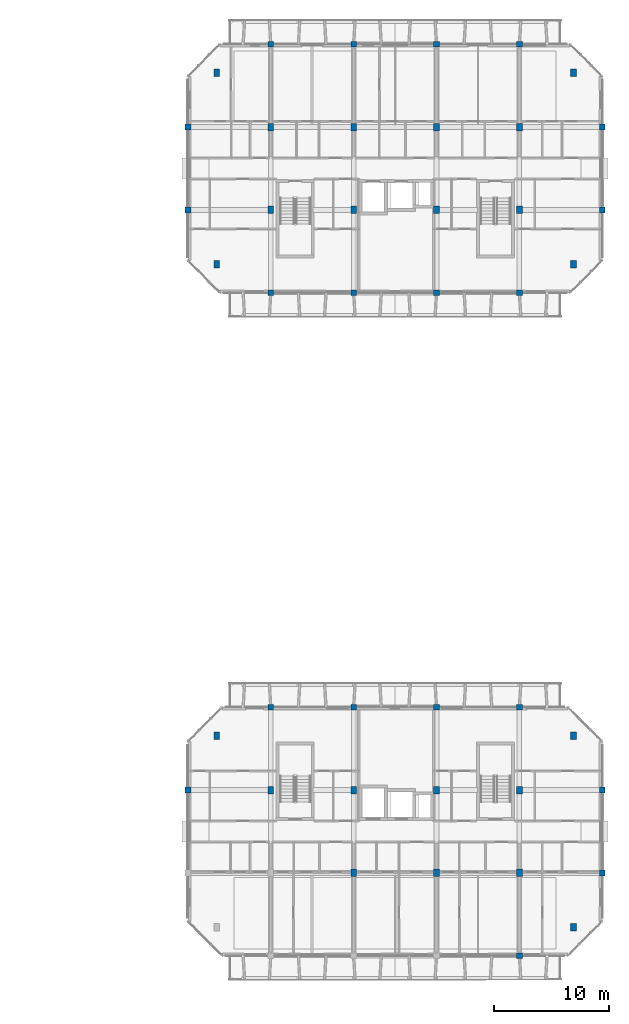
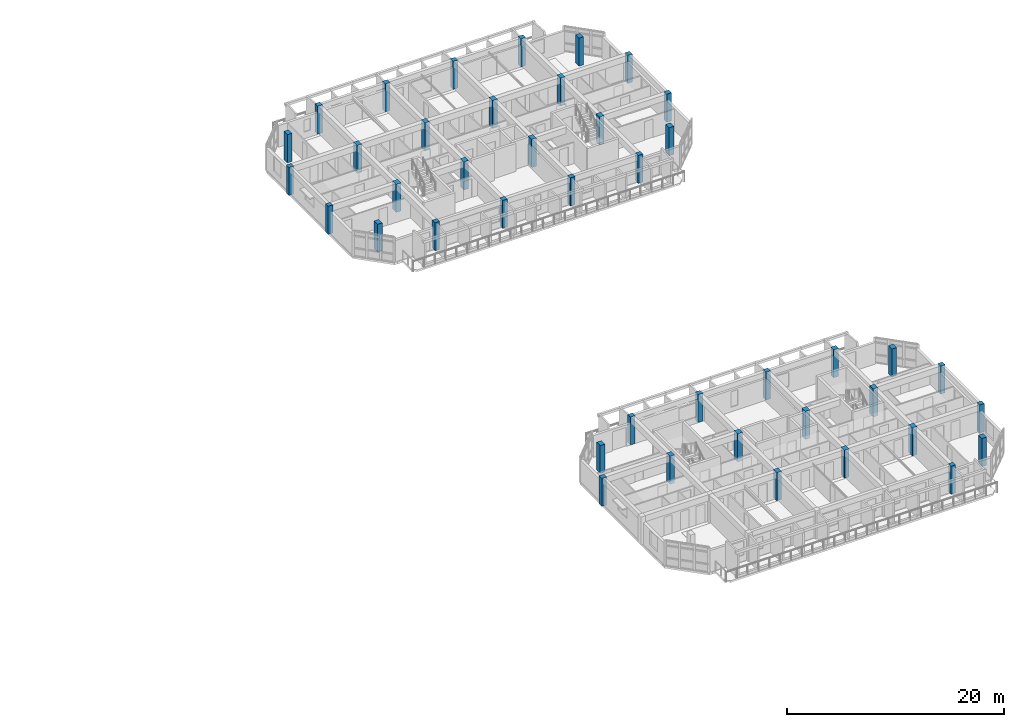
# One storey, part 2 of 44: 42 columns.
"""IFC4 building model written with IfcOpenShell, lengths in metres."""

from ifc_helpers import new_model, si_unit, direction, frame, origin, origin_2d, place, context, subcontext, project, spatial, rectangle, extrude, material, material_profile, profile_set, type_object, element, save


model = new_model("IFC4")

# Units and contexts
model_context = context("Model", 3, precision=1e-05, world=origin(), true_north=direction((0.0, 1.0)))
body_context = subcontext(model_context, "Body", "Model", "MODEL_VIEW")
ifc_project = project(units=[si_unit("LENGTHUNIT", "METRE"), si_unit("AREAUNIT", "SQUARE_METRE"), si_unit("VOLUMEUNIT", "CUBIC_METRE"), si_unit("PLANEANGLEUNIT", "RADIAN"), si_unit("MASSUNIT", "GRAM", prefix="KILO")], contexts=[model_context])

# Site, building, storey
site_placement = place(None, origin())
site = spatial("IfcSite", under=ifc_project, at=site_placement, CompositionType="ELEMENT")
building_placement = place(site_placement, origin())
building = spatial("IfcBuilding", under=site, at=building_placement, Name="Ochrevale Crest", CompositionType="ELEMENT")
storey_placement = place(building_placement, frame((0.0, 0.0, 21.300048828125)))
storey = spatial("IfcBuildingStorey", under=building, at=storey_placement, Name="L06", CompositionType="ELEMENT", Elevation=21.300048828125)

# Columns
ifc_material = material(Name="Precast concrete C50/60", Category="concrete")
ifc_material_profile_1 = material_profile(ifc_material, rectangle(XDim=0.5, YDim=0.5, at=origin_2d()), Name="RC 500x500")
ifc_profile_set_1 = profile_set([ifc_material_profile_1], Name="Precast concrete C50/60")
column_type_1 = type_object("IfcColumnType", Name="COL-RC500x500", PredefinedType="COLUMN", material=ifc_profile_set_1)
for number, where, z_axis, x_axis, name in (
    (1, (129.60009765625, 28.800048828125, 0.0), (0.0, 0.0, 1.0), (1.0, 0.0, 0.0), "Block C L06 column (129.6,28.8)"),
    (2, (136.800048828125, 36.0, 0.0), (0.0, 0.0, 1.0), (1.0, 0.0, 0.0), "Block C L06 column (136.8,36.0)"),
    (3, (144.0, 36.0, 0.0), (0.0, 0.0, 1.0), (1.0, 0.0, 0.0), "Block C L06 column (144.0,36.0)"),
    (4, (151.199951171875, 36.0, 0.0), (0.0, 0.0, 1.0), (1.0, 0.0, 0.0), "Block C L06 column (151.2,36.0)"),
    (5, (158.39990234375, 14.39990234375, 0.0), (0.0, 0.0, 1.0), (1.0, 0.0, 0.0), "Block C L06 column (158.4,14.4)"),
    (6, (158.39990234375, 36.0, 0.0), (0.0, 0.0, 1.0), (1.0, 0.0, 0.0), "Block C L06 column (158.4,36.0)"),
    (7, (165.60009765625, 21.60009765625, 0.0), (0.0, 0.0, 1.0), (1.0, 0.0, 0.0), "Block C L06 column (165.6,21.6)"),
    (8, (165.60009765625, 28.800048828125, 0.0), (0.0, 0.0, 1.0), (1.0, 0.0, 0.0), "Block C L06 column (165.6,28.8)"),
    (9, (129.60009765625, 79.199951171875, 0.0), (0.0, 0.0, 1.0), (1.0, 0.0, 0.0), "Block D L06 column (129.6,79.2)"),
    (10, (129.60009765625, 86.39990234375, 0.0), (0.0, 0.0, 1.0), (1.0, 0.0, 0.0), "Block D L06 column (129.6,86.4)"),
    (11, (136.800048828125, 72.0, 0.0), (0.0, 0.0, 1.0), (1.0, 0.0, 0.0), "Block D L06 column (136.8,72.0)"),
    (12, (136.800048828125, 93.60009765625, 0.0), (0.0, 0.0, 1.0), (1.0, 0.0, 0.0), "Block D L06 column (136.8,93.6)"),
    (13, (144.0, 72.0, 0.0), (0.0, 0.0, 1.0), (1.0, 0.0, 0.0), "Block D L06 column (144.0,72.0)"),
    (14, (144.0, 93.60009765625, 0.0), (0.0, 0.0, 1.0), (1.0, 0.0, 0.0), "Block D L06 column (144.0,93.6)"),
    (15, (151.199951171875, 72.0, 0.0), (0.0, 0.0, 1.0), (1.0, 0.0, 0.0), "Block D L06 column (151.2,72.0)"),
    (16, (151.199951171875, 93.60009765625, 0.0), (0.0, 0.0, 1.0), (1.0, 0.0, 0.0), "Block D L06 column (151.2,93.6)"),
    (17, (158.39990234375, 72.0, 0.0), (0.0, 0.0, 1.0), (1.0, 0.0, 0.0), "Block D L06 column (158.4,72.0)"),
    (18, (158.39990234375, 93.60009765625, 0.0), (0.0, 0.0, 1.0), (1.0, 0.0, 0.0), "Block D L06 column (158.4,93.6)"),
    (19, (165.60009765625, 79.199951171875, 0.0), (0.0, 0.0, 1.0), (1.0, 0.0, 0.0), "Block D L06 column (165.6,79.2)"),
    (20, (165.60009765625, 86.39990234375, 0.0), (0.0, 0.0, 1.0), (1.0, 0.0, 0.0), "Block D L06 column (165.6,86.4)"),
):
    element("IfcColumn", number, at=place(storey_placement, frame(where, z_axis=z_axis, x_axis=x_axis)), inside=storey, type_object=column_type_1, Name=name, PredefinedType="COLUMN", context=body_context, shape_type="SweptSolid", body=[
        extrude(rectangle(XDim=0.5, YDim=0.5, at=origin_2d()), origin(), (0.0, 0.0, 1.0), 3.14990234375),
    ])
ifc_material_profile_2 = material_profile(ifc_material, rectangle(XDim=0.5, YDim=0.64990234375, at=origin_2d()), Name="RC 500x650")
ifc_profile_set_2 = profile_set([ifc_material_profile_2], Name="Precast concrete C50/60")
column_type_2 = type_object("IfcColumnType", Name="COL-RC500x650", PredefinedType="COLUMN", material=ifc_profile_set_2)
for number, where, z_axis, x_axis, name in (
    (21, (132.10009765625, 33.5, 0.0), (0.0, 0.0, 1.0), (1.0, 0.0, 0.0), "Block C L06 column (132.1,33.5)"),
    (22, (136.800048828125, 28.800048828125, 0.0), (0.0, 0.0, 1.0), (1.0, 0.0, 0.0), "Block C L06 column (136.8,28.8)"),
    (23, (144.0, 21.60009765625, 0.0), (0.0, 0.0, 1.0), (1.0, 0.0, 0.0), "Block C L06 column (144.0,21.6)"),
    (24, (144.0, 28.800048828125, 0.0), (0.0, 0.0, 1.0), (1.0, 0.0, 0.0), "Block C L06 column (144.0,28.8)"),
    (25, (151.199951171875, 21.60009765625, 0.0), (0.0, 0.0, 1.0), (1.0, 0.0, 0.0), "Block C L06 column (151.2,21.6)"),
    (26, (151.199951171875, 28.800048828125, 0.0), (0.0, 0.0, 1.0), (1.0, 0.0, 0.0), "Block C L06 column (151.2,28.8)"),
    (27, (158.39990234375, 21.60009765625, 0.0), (0.0, 0.0, 1.0), (1.0, 0.0, 0.0), "Block C L06 column (158.4,21.6)"),
    (28, (158.39990234375, 28.800048828125, 0.0), (0.0, 0.0, 1.0), (1.0, 0.0, 0.0), "Block C L06 column (158.4,28.8)"),
    (29, (163.10009765625, 16.89990234375, 0.0), (0.0, 0.0, 1.0), (1.0, 0.0, 0.0), "Block C L06 column (163.1,16.9)"),
    (30, (163.10009765625, 33.5, 0.0), (0.0, 0.0, 1.0), (1.0, 0.0, 0.0), "Block C L06 column (163.1,33.5)"),
    (31, (132.10009765625, 74.5, 0.0), (0.0, 0.0, 1.0), (1.0, 0.0, 0.0), "Block D L06 column (132.1,74.5)"),
    (32, (132.10009765625, 91.10009765625, 0.0), (0.0, 0.0, 1.0), (1.0, 0.0, 0.0), "Block D L06 column (132.1,91.1)"),
    (33, (136.800048828125, 79.199951171875, 0.0), (0.0, 0.0, 1.0), (1.0, 0.0, 0.0), "Block D L06 column (136.8,79.2)"),
    (34, (136.800048828125, 86.39990234375, 0.0), (0.0, 0.0, 1.0), (1.0, 0.0, 0.0), "Block D L06 column (136.8,86.4)"),
    (35, (144.0, 79.199951171875, 0.0), (0.0, 0.0, 1.0), (1.0, 0.0, 0.0), "Block D L06 column (144.0,79.2)"),
    (36, (144.0, 86.39990234375, 0.0), (0.0, 0.0, 1.0), (1.0, 0.0, 0.0), "Block D L06 column (144.0,86.4)"),
    (37, (151.199951171875, 79.199951171875, 0.0), (0.0, 0.0, 1.0), (1.0, 0.0, 0.0), "Block D L06 column (151.2,79.2)"),
    (38, (151.199951171875, 86.39990234375, 0.0), (0.0, 0.0, 1.0), (1.0, 0.0, 0.0), "Block D L06 column (151.2,86.4)"),
    (39, (158.39990234375, 79.199951171875, 0.0), (0.0, 0.0, 1.0), (1.0, 0.0, 0.0), "Block D L06 column (158.4,79.2)"),
    (40, (158.39990234375, 86.39990234375, 0.0), (0.0, 0.0, 1.0), (1.0, 0.0, 0.0), "Block D L06 column (158.4,86.4)"),
    (41, (163.10009765625, 74.5, 0.0), (0.0, 0.0, 1.0), (1.0, 0.0, 0.0), "Block D L06 column (163.1,74.5)"),
    (42, (163.10009765625, 91.10009765625, 0.0), (0.0, 0.0, 1.0), (1.0, 0.0, 0.0), "Block D L06 column (163.1,91.1)"),
):
    element("IfcColumn", number, at=place(storey_placement, frame(where, z_axis=z_axis, x_axis=x_axis)), inside=storey, type_object=column_type_2, Name=name, PredefinedType="COLUMN", context=body_context, shape_type="SweptSolid", body=[
        extrude(rectangle(XDim=0.5, YDim=0.64990234375, at=origin_2d()), origin(), (0.0, 0.0, 1.0), 3.14990234375),
    ])

save(model, "model.ifc")
